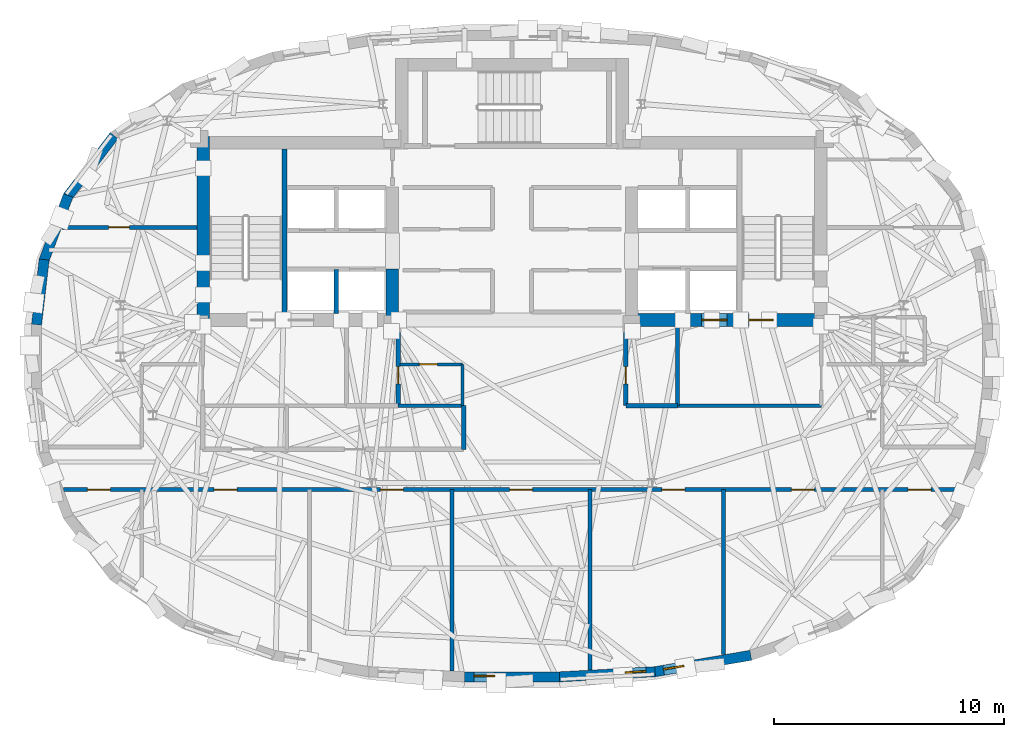
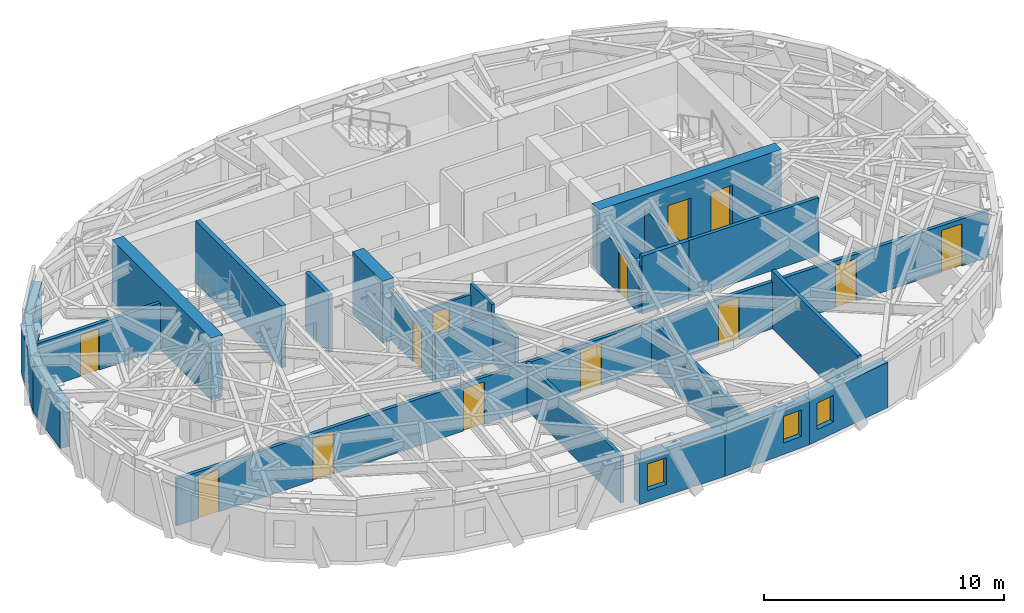
# One storey, part 6 of 12: 25 walls, 13 doors, 3 windows, 16 openings.
"""IFC4 building model written with IfcOpenShell, lengths in metres."""

from ifc_helpers import new_model, si_unit, direction, frame, frame_2d, origin, place, context, subcontext, project, spatial, rectangle, extrude, material, layer, layer_set, type_object, element, fill, save


model = new_model("IFC4")

# Units and contexts
model_context = context("Model", 3, precision=1e-05, world=origin(), true_north=direction((0.0, 1.0)))
body_context = subcontext(model_context, "Body", "Model", "MODEL_VIEW")
ifc_project = project(units=[si_unit("LENGTHUNIT", "METRE"), si_unit("AREAUNIT", "SQUARE_METRE"), si_unit("VOLUMEUNIT", "CUBIC_METRE"), si_unit("PLANEANGLEUNIT", "RADIAN"), si_unit("MASSUNIT", "GRAM", prefix="KILO")], contexts=[model_context])

# Site, building, storey
site_placement = place(None, origin())
site = spatial("IfcSite", under=ifc_project, at=site_placement, CompositionType="ELEMENT")
building_placement = place(site_placement, origin())
building = spatial("IfcBuilding", under=site, at=building_placement, Name="Keldmark Tower", CompositionType="ELEMENT")
storey_placement = place(building_placement, frame((0.0, 0.0, 257.25)))
storey = spatial("IfcBuildingStorey", under=building, at=storey_placement, Name="L73", CompositionType="ELEMENT", Elevation=257.25)

# Walls
ifc_material_1 = material(Name="STC-58 Insulated Tenant Demising Gypsum Partition", Category="gypsum")
ifc_layer_1 = layer(ifc_material_1, 0.175048828125)
ifc_layer_set_1 = layer_set([ifc_layer_1], Name="STC-58 Insulated Tenant Demising Gypsum Partition")
wall_type_1 = type_object("IfcWallType", Name="Demising Suite Partition 175 mm", PredefinedType="PARTITIONING", material=ifc_layer_set_1)
wall_1_placement = place(storey_placement, frame((-2.60009765625, -13.6865234375, 0.0), z_axis=(0.0, 0.0, 1.0), x_axis=(0.0, 1.0, 0.0)))
element("IfcWall", 1, at=wall_1_placement, inside=storey, type_object=wall_type_1, Name="L73 Demising Suite Partition 175 mm RS-T5-D2", PredefinedType="PARTITIONING", context=body_context, shape_type="SweptSolid", body=[
    extrude(rectangle(XDim=7.886474609375, YDim=0.175048828125, at=frame_2d((3.943359375, 0.0))), origin(), (0.0, 0.0, 1.0), 2.383056640625),
])
wall_2_placement = place(storey_placement, frame((3.39990234375, -13.6435546875, 0.0), z_axis=(0.0, 0.0, 1.0), x_axis=(0.0, 1.0, 0.0)))
element("IfcWall", 2, at=wall_2_placement, inside=storey, type_object=wall_type_1, Name="L73 Demising Suite Partition 175 mm RS-T5-D3", PredefinedType="PARTITIONING", context=body_context, shape_type="SweptSolid", body=[
    extrude(rectangle(XDim=7.843505859375, YDim=0.175048828125, at=frame_2d((3.921875, 0.0))), origin(), (0.0, 0.0, 1.0), 2.383056640625),
])
wall_3_placement = place(storey_placement, frame((9.199951171875, -12.97802734375, 0.0), z_axis=(0.0, 0.0, 1.0), x_axis=(0.0, 1.0, 0.0)))
element("IfcWall", 3, at=wall_3_placement, inside=storey, type_object=wall_type_1, Name="L73 Demising Suite Partition 175 mm RS-T5-D4", PredefinedType="PARTITIONING", context=body_context, shape_type="SweptSolid", body=[
    extrude(rectangle(XDim=7.177978515625, YDim=0.175048828125, at=frame_2d((3.5888671875, 0.0))), origin(), (0.0, 0.0, 1.0), 2.929931640625),
])
ifc_material_2 = material(Name="Heavy Acoustic Plumbing Chase Gypsum Assembly", Category="gypsum")
ifc_layer_2 = layer(ifc_material_2, 0.18994140625)
ifc_layer_set_2 = layer_set([ifc_layer_2], Name="Heavy Acoustic Plumbing Chase Gypsum Assembly")
wall_type_2 = type_object("IfcWallType", Name="Heavy Wet Wall 190 mm", PredefinedType="PLUMBINGWALL", material=ifc_layer_set_2)
wall_4_placement = place(storey_placement, frame((-2.10009765625, -4.050048828125, 0.0), z_axis=(0.0, 0.0, 1.0), x_axis=(0.0, 1.0, 0.0)))
element("IfcWall", 4, at=wall_4_placement, inside=storey, type_object=wall_type_2, Name="L73 Heavy Wet Wall 190 mm SPK-W-E", PredefinedType="PLUMBINGWALL", context=body_context, shape_type="SweptSolid", body=[
    extrude(rectangle(XDim=1.900146484375, YDim=0.18994140625, at=frame_2d((0.9501953125, 0.0))), origin(), (0.0, 0.0, 1.0), 2.383056640625),
])
ifc_material_3 = material(Name="Concrete C50/60", Category="concrete")
ifc_layer_3 = layer(ifc_material_3, 0.550048828125)
ifc_layer_set_3 = layer_set([ifc_layer_3], Name="Concrete C50/60")
wall_type_3 = type_object("IfcWallType", Name="High-Rise Core Shear Wall 550 mm", PredefinedType="SHEAR", material=ifc_layer_set_3)
wall_5_placement = place(storey_placement, frame((-13.425048828125, 1.300048828125, 0.0), z_axis=(0.0, 0.0, 1.0), x_axis=(0.0, 1.0, 0.0)))
element("IfcWall", 5, at=wall_5_placement, inside=storey, type_object=wall_type_3, Name="L73 West Core Outer Shear Wall", PredefinedType="SHEAR", context=body_context, shape_type="SweptSolid", body=[
    extrude(rectangle(XDim=8.25, YDim=0.550048828125, at=frame_2d((4.125, 0.0))), origin(), (0.0, 0.0, 1.0), 3.14990234375),
])
wall_6_placement = place(storey_placement, frame((-5.199951171875, 1.300048828125, 0.0), z_axis=(0.0, 0.0, 1.0), x_axis=(0.0, 1.0, 0.0)))
element("IfcWall", 6, at=wall_6_placement, inside=storey, type_object=wall_type_3, Name="L73 West Core Inner Shear Pier South", PredefinedType="SHEAR", context=body_context, shape_type="SweptSolid", body=[
    extrude(rectangle(XDim=2.5, YDim=0.550048828125, at=frame_2d((1.25, 0.0))), origin(), (0.0, 0.0, 1.0), 3.14990234375),
])

# Wall, openings, doors
wall_7_placement = place(storey_placement, frame((13.699951171875, 1.574951171875, 0.0), z_axis=(0.0, 0.0, 1.0), x_axis=(-1.0, 0.0, 0.0)))
wall_7 = element("IfcWall", 7, at=wall_7_placement, inside=storey, type_object=wall_type_3, Name="L73 East Core South Shear Wall", PredefinedType="SHEAR", context=body_context, shape_type="SweptSolid", body=[
    extrude(rectangle(XDim=8.77490234375, YDim=0.550048828125, at=frame_2d((4.387451171875, 0.0))), origin(), (0.0, 0.0, 1.0), 3.14990234375),
])
opening_1_placement = place(wall_7_placement, frame((2.35009765625, 0.0, 0.0)))
opening_1 = element("IfcOpeningElement", 8, at=opening_1_placement, cuts=wall_7, Name="Opening D-ST105", PredefinedType="OPENING", context=body_context, shape_type="SweptSolid", body=[
    extrude(rectangle(XDim=1.050048828125, YDim=2.14990234375, at=frame_2d((0.52490234375, 1.074951171875))), frame((0.0, 0.284912109375, 0.0), z_axis=(0.0, -1.0, 0.0), x_axis=(1.0, 0.0, 0.0)), (0.0, 0.0, 1.0), 0.570068359375),
])
opening_2_placement = place(wall_7_placement, frame((4.35009765625, 0.0, 0.0)))
opening_2 = element("IfcOpeningElement", 9, at=opening_2_placement, cuts=wall_7, Name="Opening LD-110", PredefinedType="OPENING", context=body_context, shape_type="SweptSolid", body=[
    extrude(rectangle(XDim=1.10009765625, YDim=2.199951171875, at=frame_2d((0.550048828125, 1.10009765625))), frame((0.0, 0.284912109375, 0.0), z_axis=(0.0, -1.0, 0.0), x_axis=(1.0, 0.0, 0.0)), (0.0, 0.0, 1.0), 0.570068359375),
])
ifc_material_4 = material(Name="Brushed Bronze Hoistway Sliding Leaf", Category="metal")
door_type_1 = type_object("IfcDoorType", Name="Lift Landing Sliding Door 1100x2200", OperationType="SLIDING_TO_LEFT", PredefinedType="DOOR", material=ifc_material_4)
door_1_placement = place(opening_2_placement, origin())
door_1 = element("IfcDoor", 10, at=door_1_placement, inside=storey, type_object=door_type_1, Name="L73 Lift Landing Sliding Door 1100x2200 LD-EL-FS2-L73", OperationType="SLIDING_TO_LEFT", OverallHeight=2.199951171875, OverallWidth=1.10009765625, PredefinedType="DOOR", context=body_context, shape_type="SweptSolid", body=[
    extrude(rectangle(XDim=1.10009765625, YDim=2.199951171875, at=frame_2d((0.550048828125, 1.10009765625))), frame((0.0, 0.02490234375, 0.0), z_axis=(0.0, -1.0, 0.0), x_axis=(1.0, 0.0, 0.0)), (0.0, 0.0, 1.0), 0.050048828125),
])
fill(opening_2, door_1)
ifc_material_5 = material(Name="Hollow Metal Fire-Rated Door Assembly", Category="metal")
door_type_2 = type_object("IfcDoorType", Name="Stair Fire Door 1050x2150", OperationType="NOTDEFINED", PredefinedType="DOOR", material=ifc_material_5)
door_2_placement = place(opening_1_placement, origin())
door_2 = element("IfcDoor", 11, at=door_2_placement, inside=storey, type_object=door_type_2, Name="L73 Stair Fire Door 1050x2150 D-ST2-L73", OperationType="SINGLE_SWING_LEFT", OverallHeight=2.14990234375, OverallWidth=1.050048828125, PredefinedType="DOOR", context=body_context, shape_type="SweptSolid", body=[
    extrude(rectangle(XDim=1.050048828125, YDim=2.14990234375, at=frame_2d((0.52490234375, 1.074951171875))), frame((0.0, 0.02490234375, 0.0), z_axis=(0.0, -1.0, 0.0), x_axis=(1.0, 0.0, 0.0)), (0.0, 0.0, 1.0), 0.050048828125),
])
fill(opening_1, door_2)

# Wall, opening, door
ifc_material_6 = material(Name="Acoustic Gypsum Board Interior Partition", Category="gypsum")
ifc_layer_4 = layer(ifc_material_6, 0.1298828125)
ifc_layer_set_4 = layer_set([ifc_layer_4], Name="Acoustic Gypsum Board Interior Partition")
wall_type_4 = type_object("IfcWallType", Name="Interior Partition 130 mm", PredefinedType="PARTITIONING", material=ifc_layer_set_4)
wall_8_placement = place(storey_placement, frame((-4.8798828125, -0.35009765625, 0.0), z_axis=(0.0, 0.0, 1.0), x_axis=(1.0, 0.0, 0.0)))
wall_8 = element("IfcWall", 12, at=wall_8_placement, inside=storey, type_object=wall_type_4, Name="L73 Interior Partition 130 mm CSC-W-N", PredefinedType="PARTITIONING", context=body_context, shape_type="SweptSolid", body=[
    extrude(rectangle(XDim=2.72998046875, YDim=0.1298828125, at=frame_2d((1.364990234375, 0.0))), origin(), (0.0, 0.0, 1.0), 2.383056640625),
])
opening_3_placement = place(wall_8_placement, frame((0.85009765625, 0.0, 0.0)))
opening_3 = element("IfcOpeningElement", 13, at=opening_3_placement, cuts=wall_8, Name="Opening D-CL078", PredefinedType="OPENING", context=body_context, shape_type="SweptSolid", body=[
    extrude(rectangle(XDim=0.780029296875, YDim=2.10009765625, at=frame_2d((0.39013671875, 1.050048828125))), frame((0.0, 0.074951171875, 0.0), z_axis=(0.0, -1.0, 0.0), x_axis=(1.0, 0.0, 0.0)), (0.0, 0.0, 1.0), 0.14990234375),
])
ifc_material_7 = material(Name="Flush Utility Closet Timber Door", Category="wood")
door_type_3 = type_object("IfcDoorType", Name="Closet Door 780x2100", OperationType="NOTDEFINED", PredefinedType="DOOR", material=ifc_material_7)
door_3_placement = place(opening_3_placement, origin())
door_3 = element("IfcDoor", 14, at=door_3_placement, inside=storey, type_object=door_type_3, Name="L73 Closet Door 780x2100 D-CSCW1-L73", OperationType="SINGLE_SWING_LEFT", OverallHeight=2.10009765625, OverallWidth=0.780029296875, PredefinedType="DOOR", context=body_context, shape_type="SweptSolid", body=[
    extrude(rectangle(XDim=0.780029296875, YDim=2.10009765625, at=frame_2d((0.39013671875, 1.050048828125))), frame((0.0, 0.02490234375, 0.0), z_axis=(0.0, -1.0, 0.0), x_axis=(1.0, 0.0, 0.0)), (0.0, 0.0, 1.0), 0.050048828125),
])
fill(opening_3, door_3)

# Walls
wall_9_placement = place(storey_placement, frame((-2.14990234375, -2.14990234375, 0.0), z_axis=(0.0, 0.0, 1.0), x_axis=(0.0, 1.0, 0.0)))
element("IfcWall", 15, at=wall_9_placement, inside=storey, type_object=wall_type_4, Name="L73 Interior Partition 130 mm CSC-W-E", PredefinedType="PARTITIONING", context=body_context, shape_type="SweptSolid", body=[
    extrude(rectangle(XDim=1.7998046875, YDim=0.1298828125, at=frame_2d((0.89990234375, 0.0))), origin(), (0.0, 0.0, 1.0), 2.929931640625),
])
ifc_material_8 = material(Name="Type X Fire-Rated Gypsum Partition Assembly", Category="gypsum")
ifc_layer_5 = layer(ifc_material_8, 0.1650390625)
ifc_layer_set_5 = layer_set([ifc_layer_5], Name="Type X Fire-Rated Gypsum Partition Assembly")
wall_type_5 = type_object("IfcWallType", Name="Rated Partition 165 mm", PredefinedType="PARTITIONING", material=ifc_layer_set_5)
wall_10_placement = place(storey_placement, frame((7.199951171875, -2.14990234375, 0.0), z_axis=(0.0, 0.0, 1.0), x_axis=(1.0, 0.0, 0.0)))
element("IfcWall", 16, at=wall_10_placement, inside=storey, type_object=wall_type_5, Name="L73 Rated Partition 165 mm FSAE-E-S", PredefinedType="PARTITIONING", context=body_context, shape_type="SweptSolid", body=[
    extrude(rectangle(XDim=6.25, YDim=0.1650390625, at=frame_2d((3.125, 0.0))), origin(), (0.0, 0.0, 1.0), 2.929931640625),
])
wall_11_placement = place(storey_placement, frame((7.199951171875, -2.14990234375, 0.0), z_axis=(0.0, 0.0, 1.0), x_axis=(0.0, 1.0, 0.0)))
element("IfcWall", 17, at=wall_11_placement, inside=storey, type_object=wall_type_5, Name="L73 Rated Partition 165 mm FSAE-E-W", PredefinedType="PARTITIONING", context=body_context, shape_type="SweptSolid", body=[
    extrude(rectangle(XDim=3.5, YDim=0.1650390625, at=frame_2d((1.75, 0.0))), origin(), (0.0, 0.0, 1.0), 2.383056640625),
])

# Wall, openings, doors
wall_12_placement = place(storey_placement, frame((-19.4970703125, -5.800048828125, 0.0), z_axis=(0.0, 0.0, 1.0), x_axis=(1.0, 0.0, 0.0)))
wall_12 = element("IfcWall", 18, at=wall_12_placement, inside=storey, type_object=wall_type_5, Name="L73 Rated Partition 165 mm RCOR-S", PredefinedType="PARTITIONING", context=body_context, shape_type="SweptSolid", body=[
    extrude(rectangle(XDim=38.994140625, YDim=0.1650390625, at=frame_2d((19.4970703125, 0.0))), origin(), (0.0, 0.0, 1.0), 2.383056640625),
])
opening_4_placement = place(wall_12_placement, frame((1.035400390625, 0.0, 0.0)))
opening_4 = element("IfcOpeningElement", 19, at=opening_4_placement, cuts=wall_12, Name="Opening D-FD100", PredefinedType="OPENING", context=body_context, shape_type="SweptSolid", body=[
    extrude(rectangle(XDim=1.0, YDim=2.14990234375, at=frame_2d((0.5, 1.074951171875))), frame((0.0, 0.092529296875, 0.0), z_axis=(0.0, -1.0, 0.0), x_axis=(1.0, 0.0, 0.0)), (0.0, 0.0, 1.0), 0.18505859375),
])
opening_5_placement = place(wall_12_placement, frame((36.718505859375, 0.0, 0.0)))
opening_5 = element("IfcOpeningElement", 20, at=opening_5_placement, cuts=wall_12, Name="Opening D-FD100", PredefinedType="OPENING", context=body_context, shape_type="SweptSolid", body=[
    extrude(rectangle(XDim=1.0, YDim=2.14990234375, at=frame_2d((0.5, 1.074951171875))), frame((0.0, 0.092529296875, 0.0), z_axis=(0.0, -1.0, 0.0), x_axis=(1.0, 0.0, 0.0)), (0.0, 0.0, 1.0), 0.18505859375),
])
opening_6_placement = place(wall_12_placement, frame((6.547607421875, 0.0, 0.0)))
opening_6 = element("IfcOpeningElement", 21, at=opening_6_placement, cuts=wall_12, Name="Opening D-FD100", PredefinedType="OPENING", context=body_context, shape_type="SweptSolid", body=[
    extrude(rectangle(XDim=1.0, YDim=2.14990234375, at=frame_2d((0.5, 1.074951171875))), frame((0.0, 0.092529296875, 0.0), z_axis=(0.0, -1.0, 0.0), x_axis=(1.0, 0.0, 0.0)), (0.0, 0.0, 1.0), 0.18505859375),
])
opening_7_placement = place(wall_12_placement, frame((13.777587890625, 0.0, 0.0)))
opening_7 = element("IfcOpeningElement", 22, at=opening_7_placement, cuts=wall_12, Name="Opening D-FD100", PredefinedType="OPENING", context=body_context, shape_type="SweptSolid", body=[
    extrude(rectangle(XDim=1.0, YDim=2.14990234375, at=frame_2d((0.5, 1.074951171875))), frame((0.0, 0.092529296875, 0.0), z_axis=(0.0, -1.0, 0.0), x_axis=(1.0, 0.0, 0.0)), (0.0, 0.0, 1.0), 0.18505859375),
])
opening_8_placement = place(wall_12_placement, frame((19.3974609375, 0.0, 0.0)))
opening_8 = element("IfcOpeningElement", 23, at=opening_8_placement, cuts=wall_12, Name="Opening D-FD100", PredefinedType="OPENING", context=body_context, shape_type="SweptSolid", body=[
    extrude(rectangle(XDim=1.0, YDim=2.14990234375, at=frame_2d((0.5, 1.074951171875))), frame((0.0, 0.092529296875, 0.0), z_axis=(0.0, -1.0, 0.0), x_axis=(1.0, 0.0, 0.0)), (0.0, 0.0, 1.0), 0.18505859375),
])
opening_9_placement = place(wall_12_placement, frame((26.017578125, 0.0, 0.0)))
opening_9 = element("IfcOpeningElement", 24, at=opening_9_placement, cuts=wall_12, Name="Opening D-FD100", PredefinedType="OPENING", context=body_context, shape_type="SweptSolid", body=[
    extrude(rectangle(XDim=1.0, YDim=2.14990234375, at=frame_2d((0.5, 1.074951171875))), frame((0.0, 0.092529296875, 0.0), z_axis=(0.0, -1.0, 0.0), x_axis=(1.0, 0.0, 0.0)), (0.0, 0.0, 1.0), 0.18505859375),
])
opening_10_placement = place(wall_12_placement, frame((31.6474609375, 0.0, 0.0)))
opening_10 = element("IfcOpeningElement", 25, at=opening_10_placement, cuts=wall_12, Name="Opening D-FD100", PredefinedType="OPENING", context=body_context, shape_type="SweptSolid", body=[
    extrude(rectangle(XDim=1.0, YDim=2.14990234375, at=frame_2d((0.5, 1.074951171875))), frame((0.0, 0.092529296875, 0.0), z_axis=(0.0, -1.0, 0.0), x_axis=(1.0, 0.0, 0.0)), (0.0, 0.0, 1.0), 0.18505859375),
])
ifc_material_9 = material(Name="Hollow Metal Fire-Rated Corridor Door", Category="metal")
door_type_4 = type_object("IfcDoorType", Name="Fire Door 1000x2150", OperationType="NOTDEFINED", PredefinedType="DOOR", material=ifc_material_9)
door_4_placement = place(opening_4_placement, origin())
door_4 = element("IfcDoor", 26, at=door_4_placement, inside=storey, type_object=door_type_4, Name="L73 Fire Door 1000x2150 D-RSCW-L73", OperationType="SINGLE_SWING_LEFT", OverallHeight=2.14990234375, OverallWidth=1.0, PredefinedType="DOOR", context=body_context, shape_type="SweptSolid", body=[
    extrude(rectangle(XDim=1.0, YDim=2.14990234375, at=frame_2d((0.5, 1.074951171875))), frame((0.0, 0.02490234375, 0.0), z_axis=(0.0, -1.0, 0.0), x_axis=(1.0, 0.0, 0.0)), (0.0, 0.0, 1.0), 0.050048828125),
])
fill(opening_4, door_4)
door_5_placement = place(opening_5_placement, origin())
door_5 = element("IfcDoor", 27, at=door_5_placement, inside=storey, type_object=door_type_4, Name="L73 Fire Door 1000x2150 D-RSCE-L73", OperationType="SINGLE_SWING_RIGHT", OverallHeight=2.14990234375, OverallWidth=1.0, PredefinedType="DOOR", context=body_context, shape_type="SweptSolid", body=[
    extrude(rectangle(XDim=1.0, YDim=2.14990234375, at=frame_2d((0.5, 1.074951171875))), frame((0.0, 0.02490234375, 0.0), z_axis=(0.0, -1.0, 0.0), x_axis=(1.0, 0.0, 0.0)), (0.0, 0.0, 1.0), 0.050048828125),
])
fill(opening_5, door_5)
door_6_placement = place(opening_6_placement, origin())
door_6 = element("IfcDoor", 28, at=door_6_placement, inside=storey, type_object=door_type_4, Name="L73 Fire Door 1000x2150 D-RST5-1-L73", OperationType="SINGLE_SWING_LEFT", OverallHeight=2.14990234375, OverallWidth=1.0, PredefinedType="DOOR", context=body_context, shape_type="SweptSolid", body=[
    extrude(rectangle(XDim=1.0, YDim=2.14990234375, at=frame_2d((0.5, 1.074951171875))), frame((0.0, 0.02490234375, 0.0), z_axis=(0.0, -1.0, 0.0), x_axis=(1.0, 0.0, 0.0)), (0.0, 0.0, 1.0), 0.050048828125),
])
fill(opening_6, door_6)
door_7_placement = place(opening_7_placement, origin())
door_7 = element("IfcDoor", 29, at=door_7_placement, inside=storey, type_object=door_type_4, Name="L73 Fire Door 1000x2150 D-RST5-2-L73", OperationType="SINGLE_SWING_RIGHT", OverallHeight=2.14990234375, OverallWidth=1.0, PredefinedType="DOOR", context=body_context, shape_type="SweptSolid", body=[
    extrude(rectangle(XDim=1.0, YDim=2.14990234375, at=frame_2d((0.5, 1.074951171875))), frame((0.0, 0.02490234375, 0.0), z_axis=(0.0, -1.0, 0.0), x_axis=(1.0, 0.0, 0.0)), (0.0, 0.0, 1.0), 0.050048828125),
])
fill(opening_7, door_7)
door_8_placement = place(opening_8_placement, origin())
door_8 = element("IfcDoor", 30, at=door_8_placement, inside=storey, type_object=door_type_4, Name="L73 Fire Door 1000x2150 D-RST5-3-L73", OperationType="SINGLE_SWING_LEFT", OverallHeight=2.14990234375, OverallWidth=1.0, PredefinedType="DOOR", context=body_context, shape_type="SweptSolid", body=[
    extrude(rectangle(XDim=1.0, YDim=2.14990234375, at=frame_2d((0.5, 1.074951171875))), frame((0.0, 0.02490234375, 0.0), z_axis=(0.0, -1.0, 0.0), x_axis=(1.0, 0.0, 0.0)), (0.0, 0.0, 1.0), 0.050048828125),
])
fill(opening_8, door_8)
door_9_placement = place(opening_9_placement, origin())
door_9 = element("IfcDoor", 31, at=door_9_placement, inside=storey, type_object=door_type_4, Name="L73 Fire Door 1000x2150 D-RST5-4-L73", OperationType="SINGLE_SWING_RIGHT", OverallHeight=2.14990234375, OverallWidth=1.0, PredefinedType="DOOR", context=body_context, shape_type="SweptSolid", body=[
    extrude(rectangle(XDim=1.0, YDim=2.14990234375, at=frame_2d((0.5, 1.074951171875))), frame((0.0, 0.02490234375, 0.0), z_axis=(0.0, -1.0, 0.0), x_axis=(1.0, 0.0, 0.0)), (0.0, 0.0, 1.0), 0.050048828125),
])
fill(opening_9, door_9)
door_10_placement = place(opening_10_placement, origin())
door_10 = element("IfcDoor", 32, at=door_10_placement, inside=storey, type_object=door_type_4, Name="L73 Fire Door 1000x2150 D-RST5-5-L73", OperationType="SINGLE_SWING_LEFT", OverallHeight=2.14990234375, OverallWidth=1.0, PredefinedType="DOOR", context=body_context, shape_type="SweptSolid", body=[
    extrude(rectangle(XDim=1.0, YDim=2.14990234375, at=frame_2d((0.5, 1.074951171875))), frame((0.0, 0.02490234375, 0.0), z_axis=(0.0, -1.0, 0.0), x_axis=(1.0, 0.0, 0.0)), (0.0, 0.0, 1.0), 0.050048828125),
])
fill(opening_10, door_10)

# Wall, opening, door
wall_13_placement = place(storey_placement, frame((-19.571533203125, 5.60009765625, 0.0), z_axis=(0.0, 0.0, 1.0), x_axis=(1.0, 0.0, 0.0)))
wall_13 = element("IfcWall", 33, at=wall_13_placement, inside=storey, type_object=wall_type_5, Name="L73 Rated Partition 165 mm RW-NDIV", PredefinedType="PARTITIONING", context=body_context, shape_type="SweptSolid", body=[
    extrude(rectangle(XDim=5.87158203125, YDim=0.1650390625, at=frame_2d((2.935791015625, 0.0))), origin(), (0.0, 0.0, 1.0), 2.383056640625),
])
opening_11_placement = place(wall_13_placement, frame((2.033447265625, 0.0, 0.0)))
opening_11 = element("IfcOpeningElement", 34, at=opening_11_placement, cuts=wall_13, Name="Opening D-IN090", PredefinedType="OPENING", context=body_context, shape_type="SweptSolid", body=[
    extrude(rectangle(XDim=0.89990234375, YDim=2.10009765625, at=frame_2d((0.449951171875, 1.050048828125))), frame((0.0, 0.092529296875, 0.0), z_axis=(0.0, -1.0, 0.0), x_axis=(1.0, 0.0, 0.0)), (0.0, 0.0, 1.0), 0.18505859375),
])
ifc_material_10 = material(Name="Stained American White Oak Veneer", Category="wood")
door_type_5 = type_object("IfcDoorType", Name="Interior Door 900x2100", OperationType="NOTDEFINED", PredefinedType="DOOR", material=ifc_material_10)
door_11_placement = place(opening_11_placement, origin())
door_11 = element("IfcDoor", 35, at=door_11_placement, inside=storey, type_object=door_type_5, Name="L73 Interior Door 900x2100 D-RWN1-L73", OperationType="SINGLE_SWING_LEFT", OverallHeight=2.10009765625, OverallWidth=0.89990234375, PredefinedType="DOOR", context=body_context, shape_type="SweptSolid", body=[
    extrude(rectangle(XDim=0.89990234375, YDim=2.10009765625, at=frame_2d((0.449951171875, 1.050048828125))), frame((0.0, 0.02490234375, 0.0), z_axis=(0.0, -1.0, 0.0), x_axis=(1.0, 0.0, 0.0)), (0.0, 0.0, 1.0), 0.050048828125),
])
fill(opening_11, door_11)

ifc_material_11 = material(Name="Fire-Resistant Type X Gypsum Shaftliner Coreboard", Category="gypsum")
ifc_layer_6 = layer(ifc_material_11, 0.199951171875)
ifc_layer_set_6 = layer_set([ifc_layer_6], Name="Fire-Resistant Type X Gypsum Shaftliner Coreboard")
wall_type_6 = type_object("IfcWallType", Name="Shaft Wall 200 mm", PredefinedType="SOLIDWALL", material=ifc_layer_set_6)
wall_14_placement = place(storey_placement, frame((-4.949951171875, -2.14990234375, 0.0), z_axis=(0.0, 0.0, 1.0), x_axis=(0.0, 1.0, 0.0)))
wall_14 = element("IfcWall", 36, at=wall_14_placement, inside=storey, type_object=wall_type_6, Name="L73 Shaft Wall 200 mm RIS-SW-E", PredefinedType="SOLIDWALL", context=body_context, shape_type="SweptSolid", body=[
    extrude(rectangle(XDim=3.5, YDim=0.199951171875, at=frame_2d((1.75, 0.0))), origin(), (0.0, 0.0, 1.0), 2.383056640625),
])
opening_12_placement = place(wall_14_placement, frame((0.949951171875, 0.0, 0.0)))
opening_12 = element("IfcOpeningElement", 37, at=opening_12_placement, cuts=wall_14, Name="Opening D-RS075", PredefinedType="OPENING", context=body_context, shape_type="SweptSolid", body=[
    extrude(rectangle(XDim=0.75, YDim=2.10009765625, at=frame_2d((0.375, 1.050048828125))), frame((0.0, 0.10986328125, 0.0), z_axis=(0.0, -1.0, 0.0), x_axis=(1.0, 0.0, 0.0)), (0.0, 0.0, 1.0), 0.219970703125),
])
ifc_material_12 = material(Name="Galvanized Fire-Rated Access Leaf", Category="metal")
door_type_6 = type_object("IfcDoorType", Name="Riser Access Door 750x2100", OperationType="NOTDEFINED", PredefinedType="DOOR", material=ifc_material_12)
door_12_placement = place(opening_12_placement, origin())
door_12 = element("IfcDoor", 38, at=door_12_placement, inside=storey, type_object=door_type_6, Name="L73 Riser Access Door 750x2100 D-RISSW-L73", OperationType="SINGLE_SWING_RIGHT", OverallHeight=2.10009765625, OverallWidth=0.75, PredefinedType="DOOR", context=body_context, shape_type="SweptSolid", body=[
    extrude(rectangle(XDim=0.75, YDim=2.10009765625, at=frame_2d((0.375, 1.050048828125))), frame((0.0, 0.02490234375, 0.0), z_axis=(0.0, -1.0, 0.0), x_axis=(1.0, 0.0, 0.0)), (0.0, 0.0, 1.0), 0.050048828125),
])
fill(opening_12, door_12)

# Wall
wall_15_placement = place(storey_placement, frame((4.949951171875, -2.14990234375, 0.0), z_axis=(0.0, 0.0, 1.0), x_axis=(1.0, 0.0, 0.0)))
element("IfcWall", 39, at=wall_15_placement, inside=storey, type_object=wall_type_6, Name="L73 Shaft Wall 200 mm RIS-SE-S", PredefinedType="SOLIDWALL", context=body_context, shape_type="SweptSolid", body=[
    extrude(rectangle(XDim=2.25, YDim=0.199951171875, at=frame_2d((1.125, 0.0))), origin(), (0.0, 0.0, 1.0), 2.929931640625),
])

# Wall, opening, door
wall_16_placement = place(storey_placement, frame((4.949951171875, -2.14990234375, 0.0), z_axis=(0.0, 0.0, 1.0), x_axis=(0.0, 1.0, 0.0)))
wall_16 = element("IfcWall", 40, at=wall_16_placement, inside=storey, type_object=wall_type_6, Name="L73 Shaft Wall 200 mm RIS-SE-W", PredefinedType="SOLIDWALL", context=body_context, shape_type="SweptSolid", body=[
    extrude(rectangle(XDim=3.5, YDim=0.199951171875, at=frame_2d((1.75, 0.0))), origin(), (0.0, 0.0, 1.0), 2.383056640625),
])
opening_13_placement = place(wall_16_placement, frame((0.949951171875, 0.0, 0.0)))
opening_13 = element("IfcOpeningElement", 41, at=opening_13_placement, cuts=wall_16, Name="Opening D-RS075", PredefinedType="OPENING", context=body_context, shape_type="SweptSolid", body=[
    extrude(rectangle(XDim=0.75, YDim=2.10009765625, at=frame_2d((0.375, 1.050048828125))), frame((0.0, 0.10986328125, 0.0), z_axis=(0.0, -1.0, 0.0), x_axis=(1.0, 0.0, 0.0)), (0.0, 0.0, 1.0), 0.219970703125),
])
door_13_placement = place(opening_13_placement, origin())
door_13 = element("IfcDoor", 42, at=door_13_placement, inside=storey, type_object=door_type_6, Name="L73 Riser Access Door 750x2100 D-RISSE-L73", OperationType="SINGLE_SWING_LEFT", OverallHeight=2.10009765625, OverallWidth=0.75, PredefinedType="DOOR", context=body_context, shape_type="SweptSolid", body=[
    extrude(rectangle(XDim=0.75, YDim=2.10009765625, at=frame_2d((0.375, 1.050048828125))), frame((0.0, 0.02490234375, 0.0), z_axis=(0.0, -1.0, 0.0), x_axis=(1.0, 0.0, 0.0)), (0.0, 0.0, 1.0), 0.050048828125),
])
fill(opening_13, door_13)

# Walls
wall_17_placement = place(storey_placement, frame((-7.64990234375, 1.85009765625, 0.0), z_axis=(0.0, 0.0, 1.0), x_axis=(0.0, 1.0, 0.0)))
element("IfcWall", 43, at=wall_17_placement, inside=storey, type_object=wall_type_6, Name="L73 Shaft Wall 200 mm HW-W-M", PredefinedType="SOLIDWALL", context=body_context, shape_type="SweptSolid", body=[
    extrude(rectangle(XDim=1.929931640625, YDim=0.199951171875, at=frame_2d((0.96484375, 0.0))), origin(), (0.0, 0.0, 1.0), 2.929931640625),
])
ifc_material_13 = material(Name="Concrete C50/60", Category="concrete")
ifc_layer_7 = layer(ifc_material_13, 0.219970703125)
ifc_layer_set_7 = layer_set([ifc_layer_7], Name="Concrete C50/60")
wall_type_7 = type_object("IfcWallType", Name="Stair Core Shear Wall 220 mm", PredefinedType="SHEAR", material=ifc_layer_set_7)
wall_18_placement = place(storey_placement, frame((-9.889892578125, 1.85009765625, 0.0), z_axis=(0.0, 0.0, 1.0), x_axis=(0.0, 1.0, 0.0)))
element("IfcWall", 44, at=wall_18_placement, inside=storey, type_object=wall_type_7, Name="L73 West Stair Core Shear Wall", PredefinedType="SHEAR", context=body_context, shape_type="SweptSolid", body=[
    extrude(rectangle(XDim=7.14990234375, YDim=0.219970703125, at=frame_2d((3.574951171875, 0.0))), origin(), (0.0, 0.0, 1.0), 3.14990234375),
])
ifc_material_14 = material(Name="Ironspot Manganese Brick and Kasota Buff Limestone Spandrel Assembly", Category="masonry")
ifc_layer_8 = layer(ifc_material_14, 0.43994140625)
ifc_layer_set_8 = layer_set([ifc_layer_8], Name="Ironspot Manganese Brick and Kasota Buff Limestone Spandrel Assembly")
wall_type_8 = type_object("IfcWallType", Name="Tower Brick Pier and Spandrel Wall 440 mm", PredefinedType="STANDARD", material=ifc_layer_set_8)
wall_19_placement = place(storey_placement, frame((-19.328125, 6.93408203125, 0.0), z_axis=(0.0, 0.0, 1.0), x_axis=(0.606828844818, 0.794832531479, 0.0)))
element("IfcWall", 45, at=wall_19_placement, inside=storey, type_object=wall_type_8, Name="L73 Exterior Brick and Spandrel Wall 13", PredefinedType="STANDARD", context=body_context, shape_type="SweptSolid", body=[
    extrude(rectangle(XDim=3.34130859375, YDim=0.43994140625, at=frame_2d((1.670654296875, 0.0))), origin(), (0.0, 0.0, 1.0), 2.2958984375),
])
wall_20_placement = place(storey_placement, frame((-20.354248046875, 4.151611328125, 0.0), z_axis=(0.0, 0.0, 1.0), x_axis=(0.34898554078, 0.937128108813, 0.0)))
element("IfcWall", 46, at=wall_20_placement, inside=storey, type_object=wall_type_8, Name="L73 Exterior Brick and Spandrel Wall 14", PredefinedType="STANDARD", context=body_context, shape_type="SweptSolid", body=[
    extrude(rectangle(XDim=3.02978515625, YDim=0.43994140625, at=frame_2d((1.514892578125, 0.0))), origin(), (0.0, 0.0, 1.0), 2.2958984375),
])
wall_21_placement = place(storey_placement, frame((-20.673583984375, 1.369384765625, 0.0), z_axis=(0.0, 0.0, 1.0), x_axis=(0.116300017341, 0.99321412896, 0.0)))
element("IfcWall", 47, at=wall_21_placement, inside=storey, type_object=wall_type_8, Name="L73 Exterior Brick and Spandrel Wall 15", PredefinedType="STANDARD", context=body_context, shape_type="SweptSolid", body=[
    extrude(rectangle(XDim=2.852783203125, YDim=0.43994140625, at=frame_2d((1.42626953125, 0.0))), origin(), (0.0, 0.0, 1.0), 2.2958984375),
])

# Wall, opening, window
wall_22_placement = place(storey_placement, frame((2.0576171875, -13.9443359375, 0.0), z_axis=(0.0, 0.0, 1.0), x_axis=(-1.0, 0.0, 0.0)))
wall_22 = element("IfcWall", 48, at=wall_22_placement, inside=storey, type_object=wall_type_8, Name="L73 Exterior Brick and Spandrel Wall 24", PredefinedType="STANDARD", context=body_context, shape_type="SweptSolid", body=[
    extrude(rectangle(XDim=4.115234375, YDim=0.43994140625, at=frame_2d((2.0576171875, 0.0))), origin(), (0.0, 0.0, 1.0), 2.2958984375),
])
opening_14_placement = place(wall_22_placement, frame((2.81787109375, 0.0, 0.580078125)))
opening_14 = element("IfcOpeningElement", 49, at=opening_14_placement, cuts=wall_22, Name="Opening W-09", PredefinedType="OPENING", context=body_context, shape_type="SweptSolid", body=[
    extrude(rectangle(XDim=0.89990234375, YDim=1.35009765625, at=frame_2d((0.449951171875, 0.675048828125))), frame((0.0, 0.22998046875, 0.0), z_axis=(0.0, -1.0, 0.0), x_axis=(1.0, 0.0, 0.0)), (0.0, 0.0, 1.0), 0.4599609375),
])
ifc_material_15 = material(Name="Thermally Broken Anodized Aluminum and Triple Low-E Argon Glazing", Category="aluminium")
window_type = type_object("IfcWindowType", Name="Corner Pier Deep-Set Window 900x1350", PartitioningType="SINGLE_PANEL", PredefinedType="WINDOW", material=ifc_material_15)
window_1_placement = place(opening_14_placement, origin())
window_1 = element("IfcWindow", 50, at=window_1_placement, inside=storey, type_object=window_type, Name="L73 Deep-Set Window 24", OverallHeight=1.35009765625, OverallWidth=0.89990234375, PartitioningType="SINGLE_PANEL", PredefinedType="WINDOW", context=body_context, shape_type="SweptSolid", body=[
    extrude(rectangle(XDim=0.89990234375, YDim=1.35009765625, at=frame_2d((0.449951171875, 0.675048828125))), frame((0.0, -0.010009765625, 0.0), z_axis=(0.0, -1.0, 0.0), x_axis=(1.0, 0.0, 0.0)), (0.0, 0.0, 1.0), 0.06005859375),
])
fill(opening_14, window_1)

wall_23_placement = place(storey_placement, frame((6.22509765625, -13.719970703125, 0.0), z_axis=(0.0, 0.0, 1.0), x_axis=(-0.998558880418, -0.053667143941, 0.0)))
wall_23 = element("IfcWall", 51, at=wall_23_placement, inside=storey, type_object=wall_type_8, Name="L73 Exterior Brick and Spandrel Wall 25", PredefinedType="STANDARD", context=body_context, shape_type="SweptSolid", body=[
    extrude(rectangle(XDim=4.185302734375, YDim=0.43994140625, at=frame_2d((2.0927734375, 0.0))), origin(), (0.0, 0.0, 1.0), 2.2958984375),
])
opening_15_placement = place(wall_23_placement, frame((0.39892578125, 0.0, 0.580078125)))
opening_15 = element("IfcOpeningElement", 52, at=opening_15_placement, cuts=wall_23, Name="Opening W-09", PredefinedType="OPENING", context=body_context, shape_type="SweptSolid", body=[
    extrude(rectangle(XDim=0.89990234375, YDim=1.35009765625, at=frame_2d((0.449951171875, 0.675048828125))), frame((0.0, 0.22998046875, 0.0), z_axis=(0.0, -1.0, 0.0), x_axis=(1.0, 0.0, 0.0)), (0.0, 0.0, 1.0), 0.4599609375),
])
window_2_placement = place(opening_15_placement, origin())
window_2 = element("IfcWindow", 53, at=window_2_placement, inside=storey, type_object=window_type, Name="L73 Deep-Set Window 25", OverallHeight=1.35009765625, OverallWidth=0.89990234375, PartitioningType="SINGLE_PANEL", PredefinedType="WINDOW", context=body_context, shape_type="SweptSolid", body=[
    extrude(rectangle(XDim=0.89990234375, YDim=1.35009765625, at=frame_2d((0.449951171875, 0.675048828125))), frame((0.0, -0.010009765625, 0.0), z_axis=(0.0, -1.0, 0.0), x_axis=(1.0, 0.0, 0.0)), (0.0, 0.0, 1.0), 0.06005859375),
])
fill(opening_15, window_2)

wall_24_placement = place(storey_placement, frame((10.3876953125, -13.006103515625, 0.0), z_axis=(0.0, 0.0, 1.0), x_axis=(-0.985667057966, -0.168702254995, 0.0)))
wall_24 = element("IfcWall", 54, at=wall_24_placement, inside=storey, type_object=wall_type_8, Name="L73 Exterior Brick and Spandrel Wall 26", PredefinedType="STANDARD", context=body_context, shape_type="SweptSolid", body=[
    extrude(rectangle(XDim=4.248779296875, YDim=0.43994140625, at=frame_2d((2.12451171875, 0.0))), origin(), (0.0, 0.0, 1.0), 2.2958984375),
])
opening_16_placement = place(wall_24_placement, frame((2.94873046875, 0.0, 0.580078125)))
opening_16 = element("IfcOpeningElement", 55, at=opening_16_placement, cuts=wall_24, Name="Opening W-09", PredefinedType="OPENING", context=body_context, shape_type="SweptSolid", body=[
    extrude(rectangle(XDim=0.89990234375, YDim=1.35009765625, at=frame_2d((0.449951171875, 0.675048828125))), frame((0.0, 0.22998046875, 0.0), z_axis=(0.0, -1.0, 0.0), x_axis=(1.0, 0.0, 0.0)), (0.0, 0.0, 1.0), 0.4599609375),
])
window_3_placement = place(opening_16_placement, origin())
window_3 = element("IfcWindow", 56, at=window_3_placement, inside=storey, type_object=window_type, Name="L73 Deep-Set Window 26", OverallHeight=1.35009765625, OverallWidth=0.89990234375, PartitioningType="SINGLE_PANEL", PredefinedType="WINDOW", context=body_context, shape_type="SweptSolid", body=[
    extrude(rectangle(XDim=0.89990234375, YDim=1.35009765625, at=frame_2d((0.449951171875, 0.675048828125))), frame((0.0, -0.010009765625, 0.0), z_axis=(0.0, -1.0, 0.0), x_axis=(1.0, 0.0, 0.0)), (0.0, 0.0, 1.0), 0.06005859375),
])
fill(opening_16, window_3)

# Wall
ifc_material_16 = material(Name="Moisture-Resistant Gypsum Plumbing Partition", Category="gypsum")
ifc_layer_9 = layer(ifc_material_16, 0.14990234375)
ifc_layer_set_9 = layer_set([ifc_layer_9], Name="Moisture-Resistant Gypsum Plumbing Partition")
wall_type_9 = type_object("IfcWallType", Name="Wet Wall 150 mm", PredefinedType="PLUMBINGWALL", material=ifc_layer_set_9)
wall_25_placement = place(storey_placement, frame((-4.949951171875, -2.14990234375, 0.0), z_axis=(0.0, 0.0, 1.0), x_axis=(1.0, 0.0, 0.0)))
element("IfcWall", 57, at=wall_25_placement, inside=storey, type_object=wall_type_9, Name="L73 Wet Wall 150 mm SPK-W-N", PredefinedType="PLUMBINGWALL", context=body_context, shape_type="SweptSolid", body=[
    extrude(rectangle(XDim=2.849853515625, YDim=0.14990234375, at=frame_2d((1.4248046875, 0.0))), origin(), (0.0, 0.0, 1.0), 2.383056640625),
])

save(model, "model.ifc")
